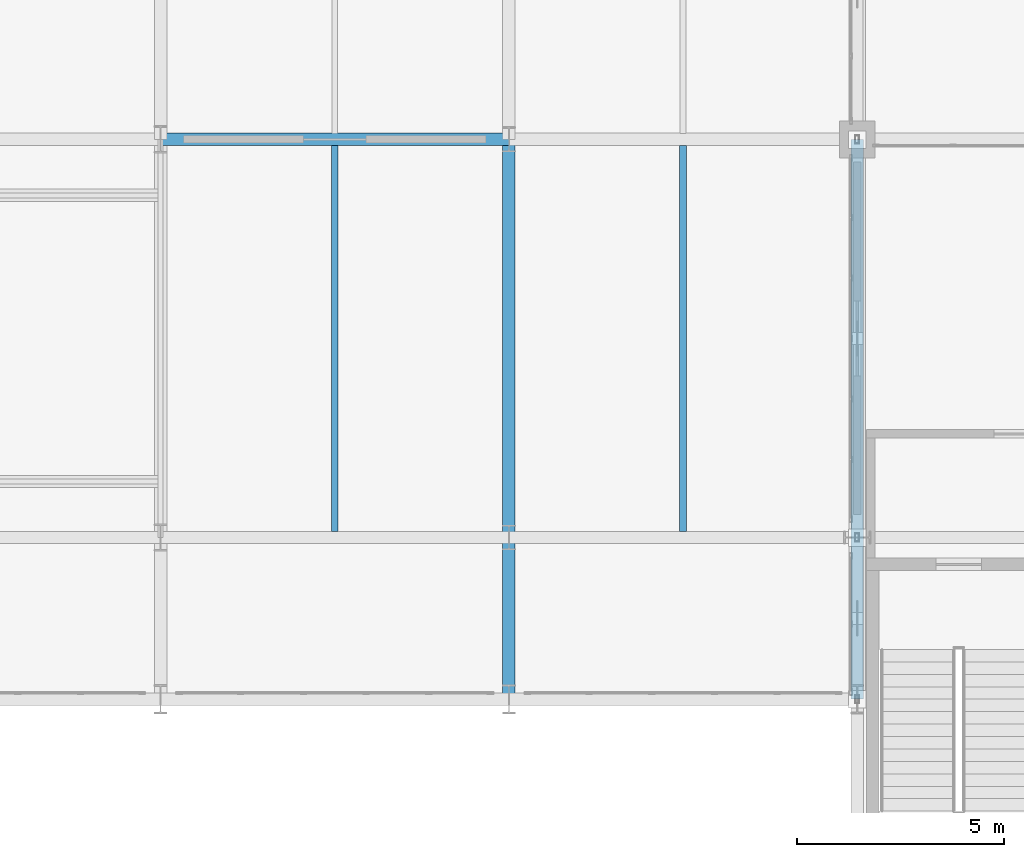
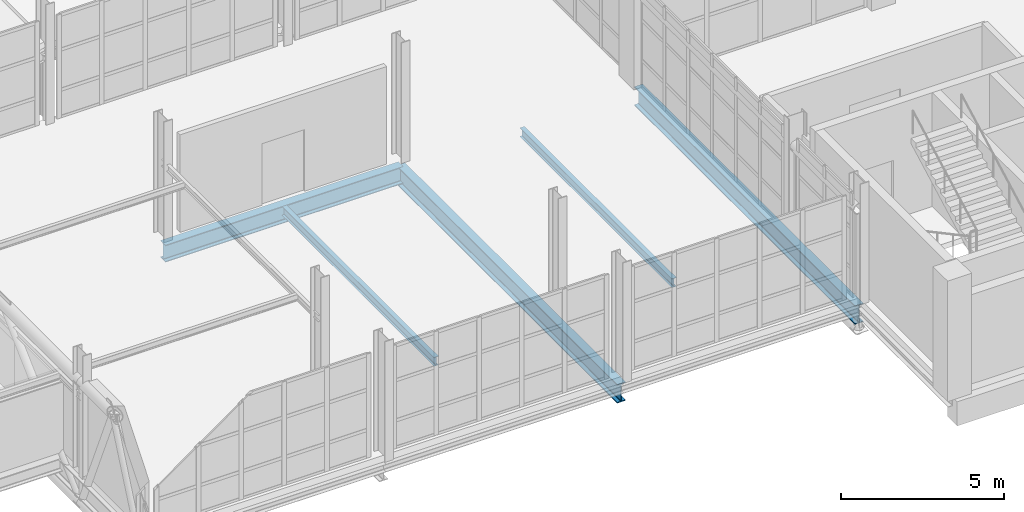
# One storey, part 20 of 130: 5 beams.
"""IFC4 building model written with IfcOpenShell, lengths in metres."""

from ifc_helpers import new_model, si_unit, direction, frame, origin, origin_2d, place, context, subcontext, project, spatial, i_section, extrude, material, material_profile, profile_set, type_object, element, save


model = new_model("IFC4")

# Units and contexts
model_context = context("Model", 3, precision=1e-05, world=origin(), true_north=direction((0.0, 1.0)))
body_context = subcontext(model_context, "Body", "Model", "MODEL_VIEW")
ifc_project = project(units=[si_unit("LENGTHUNIT", "METRE"), si_unit("AREAUNIT", "SQUARE_METRE"), si_unit("VOLUMEUNIT", "CUBIC_METRE"), si_unit("PLANEANGLEUNIT", "RADIAN"), si_unit("MASSUNIT", "GRAM", prefix="KILO")], contexts=[model_context])

# Site, building, storey
site_placement = place(None, origin())
site = spatial("IfcSite", under=ifc_project, at=site_placement, CompositionType="ELEMENT")
building_placement = place(site_placement, origin())
building = spatial("IfcBuilding", under=site, at=building_placement, Name="Veltarok Museum of Natural Sciences", CompositionType="ELEMENT")
storey_placement = place(building_placement, frame((0.0, 0.0, 12.89990234375)))
storey = spatial("IfcBuildingStorey", under=building, at=storey_placement, Name="L02", CompositionType="ELEMENT", Elevation=12.89990234375)

# Beams
ifc_material = material(Name="Steel S355J2", Category="steel")
ifc_material_profile_1 = material_profile(ifc_material, i_section(OverallWidth=0.300048828125, OverallDepth=0.639892578125, WebThickness=0.013427734375, FlangeThickness=0.02587890625, FilletRadius=0.027099609375, at=origin_2d()), Name="HEA 650")
ifc_profile_set_1 = profile_set([ifc_material_profile_1], Name="Steel S355J2")
beam_type_1 = type_object("IfcBeamType", Name="Heavy Exhibition Girder HEA 650", PredefinedType="BEAM", material=ifc_profile_set_1)
beam_placement = place(storey_placement, frame((14.800048828125, 19.199951171875, -0.56982421875), z_axis=(1.0, 0.0, 0.0), x_axis=(0.0, 1.0, 0.0)))
element("IfcBeam", 1, at=beam_placement, inside=storey, type_object=beam_type_1, Name="Beam BM-G08 L02 2-3/C", PredefinedType="BEAM", context=body_context, shape_type="SweptSolid", body=[
    extrude(i_section(OverallWidth=0.300048828125, OverallDepth=0.639892578125, WebThickness=0.013427734375, FlangeThickness=0.02587890625, FilletRadius=0.027099609375, at=origin_2d()), origin(), (0.0, 0.0, 1.0), 8.39990234375),
])
ifc_material_profile_2 = material_profile(ifc_material, i_section(OverallWidth=0.300048828125, OverallDepth=0.699951171875, WebThickness=0.01708984375, FlangeThickness=0.031982421875, FilletRadius=0.027099609375, at=origin_2d()), Name="HEB 700")
ifc_profile_set_2 = profile_set([ifc_material_profile_2], Name="Steel S355J2")
beam_type_2 = type_object("IfcBeamType", Name="Long-Span Hall Girder HEB 700", PredefinedType="BEAM", material=ifc_profile_set_2)
for number, where, z_axis, x_axis, name in (
    (2, (23.199951171875, 5.699951171875, -0.599853515625), (0.0, 1.0, 0.0), (-1.0, 0.0, 0.0), "Bridge Cantilever Girder L02 3"),
    (3, (31.60009765625, 5.699951171875, -0.599853515625), (0.0, 1.0, 0.0), (-1.0, 0.0, 0.0), "Bridge Cantilever Girder L02 4"),
):
    element("IfcBeam", number, at=place(storey_placement, frame(where, z_axis=z_axis, x_axis=x_axis)), inside=storey, type_object=beam_type_2, Name=name, PredefinedType="BEAM", context=body_context, shape_type="SweptSolid", body=[
        extrude(i_section(OverallWidth=0.300048828125, OverallDepth=0.699951171875, WebThickness=0.01708984375, FlangeThickness=0.031982421875, FilletRadius=0.027099609375, at=origin_2d()), origin(), (0.0, 0.0, 1.0), 13.5),
    ])
ifc_material_profile_3 = material_profile(ifc_material, i_section(OverallWidth=0.159912109375, OverallDepth=0.330078125, WebThickness=0.007568359375, FlangeThickness=0.011474609375, FilletRadius=0.01806640625, at=origin_2d()), Name="IPE 330")
ifc_profile_set_3 = profile_set([ifc_material_profile_3], Name="Steel S355J2")
beam_type_3 = type_object("IfcBeamType", Name="Medium-Bay Composite Joist IPE 330", PredefinedType="JOIST", material=ifc_profile_set_3)
for number, where, z_axis, x_axis, name in (
    (4, (19.0, 9.748046875, -0.414794921875), (0.0, 1.0, 0.0), (-1.0, 0.0, 0.0), "Secondary Joist BM-J02 L02 2-3/B-C.1"),
    (5, (27.39990234375, 9.748046875, -0.414794921875), (0.0, 1.0, 0.0), (-1.0, 0.0, 0.0), "Secondary Joist BM-J02 L02 3-4/B-C.1"),
):
    element("IfcBeam", number, at=place(storey_placement, frame(where, z_axis=z_axis, x_axis=x_axis)), inside=storey, type_object=beam_type_3, Name=name, PredefinedType="JOIST", context=body_context, shape_type="SweptSolid", body=[
        extrude(i_section(OverallWidth=0.159912109375, OverallDepth=0.330078125, WebThickness=0.007568359375, FlangeThickness=0.011474609375, FilletRadius=0.01806640625, at=origin_2d()), origin(), (0.0, 0.0, 1.0), 9.303955078125),
    ])

save(model, "model.ifc")
